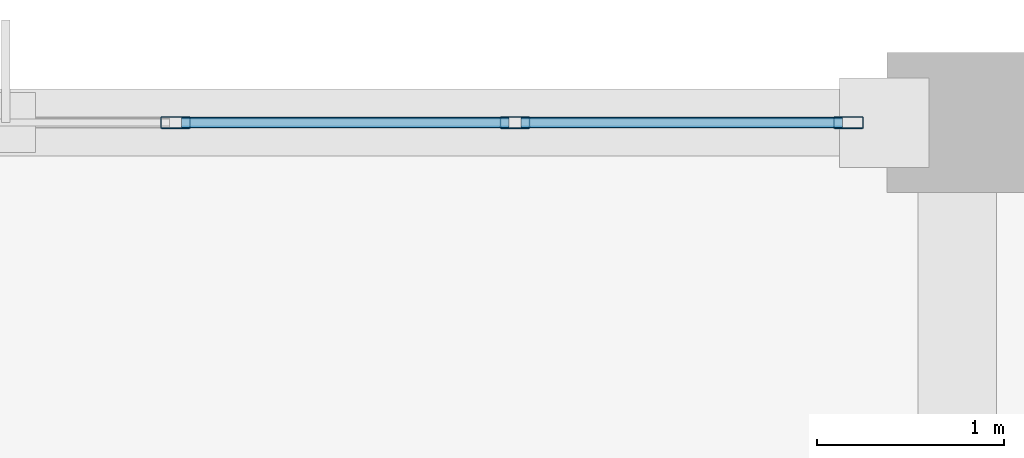
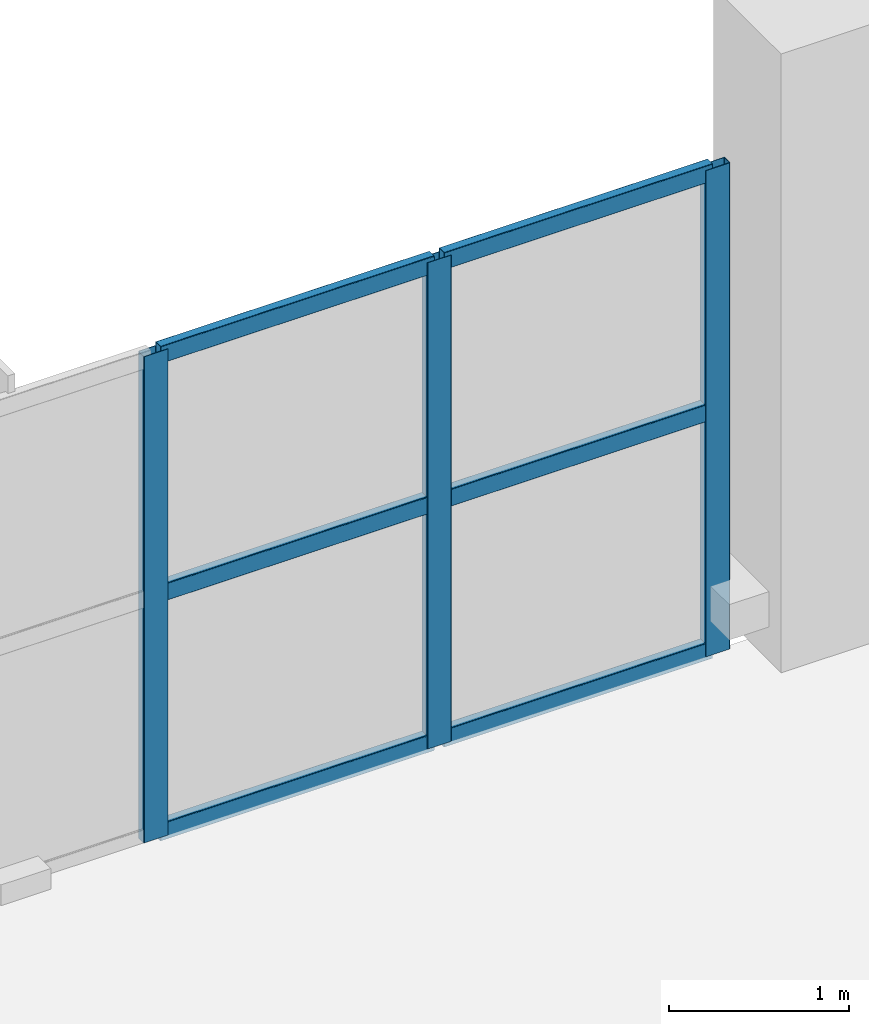
# One storey, part 97 of 157: 9 members, 1 element without a shape of its own.
"""IFC4 building model written with IfcOpenShell, lengths in metres."""

from ifc_helpers import new_model, si_unit, direction, frame, origin, origin_2d, place, context, subcontext, project, spatial, hollow_rectangle, extrude, material, material_profile, profile_set, type_object, element, aggregate, save


model = new_model("IFC4")

# Units and contexts
model_context = context("Model", 3, precision=1e-05, world=origin(), true_north=direction((0.0, 1.0)))
body_context = subcontext(model_context, "Body", "Model", "MODEL_VIEW")
ifc_project = project(units=[si_unit("LENGTHUNIT", "METRE"), si_unit("AREAUNIT", "SQUARE_METRE"), si_unit("VOLUMEUNIT", "CUBIC_METRE"), si_unit("PLANEANGLEUNIT", "RADIAN"), si_unit("MASSUNIT", "GRAM", prefix="KILO")], contexts=[model_context])

# Site, building, storey
site_placement = place(None, origin())
site = spatial("IfcSite", under=ifc_project, at=site_placement, CompositionType="ELEMENT")
building_placement = place(site_placement, origin())
building = spatial("IfcBuilding", under=site, at=building_placement, Name="Brelvane Convention Centre", CompositionType="ELEMENT")
storey_placement = place(building_placement, frame((0.0, 0.0, 10.800048828125)))
storey = spatial("IfcBuildingStorey", under=building, at=storey_placement, Name="L02", CompositionType="ELEMENT", Elevation=10.800048828125)

# Curtain wall, members
ifc_material_1 = material(Name="Anodised Aluminium Alloy 6063-T6", Category="aluminium")
curtain_wall_type = type_object("IfcCurtainWallType", Name="Curtain Wall CW-BOUL", PredefinedType="USERDEFINED", material=ifc_material_1)
curtain_wall_placement = place(storey_placement, origin())
curtain_wall = element("IfcCurtainWall", 1, at=curtain_wall_placement, inside=storey, type_object=curtain_wall_type, Name="Curtain Wall CW-BOUL L02-V4N-08", ObjectType="UNITISED", PredefinedType="USERDEFINED")
ifc_material_2 = material(Name="Anodised Aluminium Alloy 6063-T6", Category="aluminium")
ifc_material_profile_1 = material_profile(ifc_material_2, hollow_rectangle(XDim=0.06494140625, YDim=0.159912109375, WallThickness=0.00390625, InnerFilletRadius=0.00390625, OuterFilletRadius=0.008056640625, at=origin_2d()), Name="ALU-M 160x65x4.0")
ifc_profile_set_1 = profile_set([ifc_material_profile_1], Name="Anodised Aluminium Alloy 6063-T6")
member_type_1 = type_object("IfcMemberType", Name="Curtain Mullion CW-M3", PredefinedType="MULLION", material=ifc_profile_set_1)
member_1_placement = place(storey_placement, frame((77.409912109375, 144.0, 0.0), z_axis=(0.0, 0.0, 1.0), x_axis=(0.0, 1.0, 0.0)))
member_1 = element("IfcMember", 2, at=member_1_placement, type_object=member_type_1, Name="CW-BOUL mullion 4", PredefinedType="MULLION", context=body_context, shape_type="SweptSolid", body=[
    extrude(hollow_rectangle(XDim=0.06494140625, YDim=0.159912109375, WallThickness=0.00390625, InnerFilletRadius=0.00390625, OuterFilletRadius=0.008056640625, at=origin_2d()), origin(), (0.0, 0.0, 1.0), 3.300048828125),
])
member_2_placement = place(storey_placement, frame((79.22998046875, 144.0, 0.0), z_axis=(0.0, 0.0, 1.0), x_axis=(0.0, 1.0, 0.0)))
member_2 = element("IfcMember", 3, at=member_2_placement, type_object=member_type_1, Name="CW-BOUL mullion 5", PredefinedType="MULLION", context=body_context, shape_type="SweptSolid", body=[
    extrude(hollow_rectangle(XDim=0.06494140625, YDim=0.159912109375, WallThickness=0.00390625, InnerFilletRadius=0.00390625, OuterFilletRadius=0.008056640625, at=origin_2d()), origin(), (0.0, 0.0, 1.0), 3.300048828125),
])
member_3_placement = place(storey_placement, frame((81.017578125, 144.0, 0.0), z_axis=(0.0, 0.0, 1.0), x_axis=(0.0, 1.0, 0.0)))
member_3 = element("IfcMember", 4, at=member_3_placement, type_object=member_type_1, Name="CW-BOUL mullion 6", PredefinedType="MULLION", context=body_context, shape_type="SweptSolid", body=[
    extrude(hollow_rectangle(XDim=0.06494140625, YDim=0.159912109375, WallThickness=0.00390625, InnerFilletRadius=0.00390625, OuterFilletRadius=0.008056640625, at=origin_2d()), origin(), (0.0, 0.0, 1.0), 3.300048828125),
])
ifc_material_3 = material(Name="Anodised Aluminium Alloy 6063-T6", Category="aluminium")
ifc_material_profile_2 = material_profile(ifc_material_3, hollow_rectangle(XDim=0.06005859375, YDim=0.1201171875, WallThickness=0.00390625, InnerFilletRadius=0.00390625, OuterFilletRadius=0.008056640625, at=origin_2d()), Name="ALU-T 120x60x4.0")
ifc_profile_set_2 = profile_set([ifc_material_profile_2], Name="Anodised Aluminium Alloy 6063-T6")
member_type_2 = type_object("IfcMemberType", Name="Curtain Transom CW-T3", PredefinedType="USERDEFINED", material=ifc_profile_set_2)
member_4_placement = place(storey_placement, frame((77.4423828125, 144.0, 0.030029296875), z_axis=(1.0, 0.0, 0.0), x_axis=(0.0, 1.0, 0.0)))
member_4 = element("IfcMember", 5, at=member_4_placement, type_object=member_type_2, Name="CW-BOUL transom 4.1", ObjectType="TRANSOM", PredefinedType="USERDEFINED", context=body_context, shape_type="SweptSolid", body=[
    extrude(hollow_rectangle(XDim=0.06005859375, YDim=0.1201171875, WallThickness=0.00390625, InnerFilletRadius=0.00390625, OuterFilletRadius=0.008056640625, at=origin_2d()), origin(), (0.0, 0.0, 1.0), 1.755126953125),
])
member_5_placement = place(storey_placement, frame((77.4423828125, 144.0, 1.64990234375), z_axis=(1.0, 0.0, 0.0), x_axis=(0.0, 1.0, 0.0)))
member_5 = element("IfcMember", 6, at=member_5_placement, type_object=member_type_2, Name="CW-BOUL transom 4.2", ObjectType="TRANSOM", PredefinedType="USERDEFINED", context=body_context, shape_type="SweptSolid", body=[
    extrude(hollow_rectangle(XDim=0.06005859375, YDim=0.1201171875, WallThickness=0.00390625, InnerFilletRadius=0.00390625, OuterFilletRadius=0.008056640625, at=origin_2d()), origin(), (0.0, 0.0, 1.0), 1.755126953125),
])
member_6_placement = place(storey_placement, frame((77.4423828125, 144.0, 3.27001953125), z_axis=(1.0, 0.0, 0.0), x_axis=(0.0, 1.0, 0.0)))
member_6 = element("IfcMember", 7, at=member_6_placement, type_object=member_type_2, Name="CW-BOUL transom 4.3", ObjectType="TRANSOM", PredefinedType="USERDEFINED", context=body_context, shape_type="SweptSolid", body=[
    extrude(hollow_rectangle(XDim=0.06005859375, YDim=0.1201171875, WallThickness=0.00390625, InnerFilletRadius=0.00390625, OuterFilletRadius=0.008056640625, at=origin_2d()), origin(), (0.0, 0.0, 1.0), 1.755126953125),
])
member_7_placement = place(storey_placement, frame((79.262451171875, 144.0, 0.030029296875), z_axis=(1.0, 0.0, 0.0), x_axis=(0.0, 1.0, 0.0)))
member_7 = element("IfcMember", 8, at=member_7_placement, type_object=member_type_2, Name="CW-BOUL transom 5.1", ObjectType="TRANSOM", PredefinedType="USERDEFINED", context=body_context, shape_type="SweptSolid", body=[
    extrude(hollow_rectangle(XDim=0.06005859375, YDim=0.1201171875, WallThickness=0.00390625, InnerFilletRadius=0.00390625, OuterFilletRadius=0.008056640625, at=origin_2d()), origin(), (0.0, 0.0, 1.0), 1.72265625),
])
member_8_placement = place(storey_placement, frame((79.262451171875, 144.0, 1.64990234375), z_axis=(1.0, 0.0, 0.0), x_axis=(0.0, 1.0, 0.0)))
member_8 = element("IfcMember", 9, at=member_8_placement, type_object=member_type_2, Name="CW-BOUL transom 5.2", ObjectType="TRANSOM", PredefinedType="USERDEFINED", context=body_context, shape_type="SweptSolid", body=[
    extrude(hollow_rectangle(XDim=0.06005859375, YDim=0.1201171875, WallThickness=0.00390625, InnerFilletRadius=0.00390625, OuterFilletRadius=0.008056640625, at=origin_2d()), origin(), (0.0, 0.0, 1.0), 1.72265625),
])
member_9_placement = place(storey_placement, frame((79.262451171875, 144.0, 3.27001953125), z_axis=(1.0, 0.0, 0.0), x_axis=(0.0, 1.0, 0.0)))
member_9 = element("IfcMember", 10, at=member_9_placement, type_object=member_type_2, Name="CW-BOUL transom 5.3", ObjectType="TRANSOM", PredefinedType="USERDEFINED", context=body_context, shape_type="SweptSolid", body=[
    extrude(hollow_rectangle(XDim=0.06005859375, YDim=0.1201171875, WallThickness=0.00390625, InnerFilletRadius=0.00390625, OuterFilletRadius=0.008056640625, at=origin_2d()), origin(), (0.0, 0.0, 1.0), 1.72265625),
])
aggregate(curtain_wall, [member_1, member_2, member_3, member_4, member_5, member_6, member_7, member_8, member_9])

save(model, "model.ifc")
